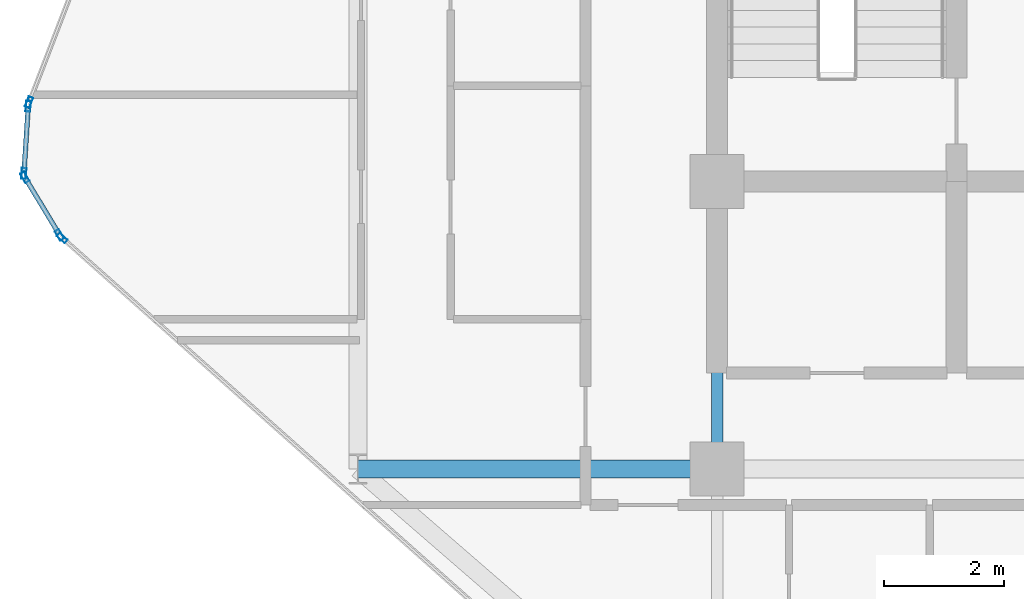
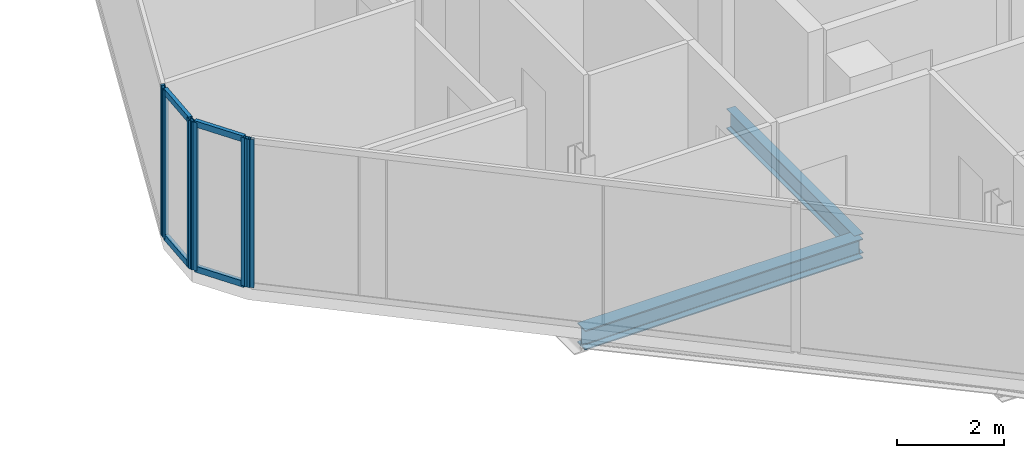
# One storey, part 7 of 31: 10 members, 2 beams, 4 elements without a shape of their own.
"""IFC4 building model written with IfcOpenShell, lengths in metres."""

from ifc_helpers import new_model, si_unit, direction, frame, origin, origin_2d, place, context, subcontext, project, spatial, hollow_rectangle, i_section, extrude, material, layer, layer_set, material_profile, profile_set, type_object, element, aggregate, save


model = new_model("IFC4")

# Units and contexts
model_context = context("Model", 3, precision=1e-05, world=origin(), true_north=direction((0.0, 1.0)))
body_context = subcontext(model_context, "Body", "Model", "MODEL_VIEW")
ifc_project = project(units=[si_unit("LENGTHUNIT", "METRE"), si_unit("AREAUNIT", "SQUARE_METRE"), si_unit("VOLUMEUNIT", "CUBIC_METRE"), si_unit("PLANEANGLEUNIT", "RADIAN"), si_unit("MASSUNIT", "GRAM", prefix="KILO")], contexts=[model_context])

# Site, building, storey
site_placement = place(None, origin())
site = spatial("IfcSite", under=ifc_project, at=site_placement, CompositionType="ELEMENT")
building_placement = place(site_placement, origin())
building = spatial("IfcBuilding", under=site, at=building_placement, Name="Keshet Zoharim Tower", CompositionType="ELEMENT")
storey_placement = place(building_placement, frame((0.0, 0.0, 144.60009765625)))
storey = spatial("IfcBuildingStorey", under=building, at=storey_placement, Name="L35", CompositionType="ELEMENT", Elevation=144.60009765625)

# Beams
ifc_material_1 = material(Name="Steel S355", Category="steel")
ifc_material_profile_1 = material_profile(ifc_material_1, i_section(OverallWidth=0.18994140625, OverallDepth=0.449951171875, WebThickness=0.009521484375, FlangeThickness=0.0146484375, FilletRadius=0.02099609375, at=origin_2d()), Name="IPE450")
ifc_profile_set_1 = profile_set([ifc_material_profile_1], Name="Steel S355")
beam_type_1 = type_object("IfcBeamType", Name="BM-PRI-IP450", PredefinedType="BEAM", material=ifc_profile_set_1)
beam_1_placement = place(storey_placement, frame((15.0, 17.89990234375, -0.5400390625), z_axis=(0.0, 1.0, 0.0), x_axis=(-1.0, 0.0, 0.0)))
element("IfcBeam", 1, at=beam_1_placement, inside=storey, type_object=beam_type_1, Name="L35 Primary Girder Y-003", PredefinedType="BEAM", context=body_context, shape_type="SweptSolid", body=[
    extrude(i_section(OverallWidth=0.18994140625, OverallDepth=0.449951171875, WebThickness=0.009521484375, FlangeThickness=0.0146484375, FilletRadius=0.02099609375, at=origin_2d()), origin(), (0.0, 0.0, 1.0), 4.800048828125),
])
ifc_material_profile_2 = material_profile(ifc_material_1, i_section(OverallWidth=0.300048828125, OverallDepth=0.449951171875, WebThickness=0.013916015625, FlangeThickness=0.02587890625, FilletRadius=0.027099609375, at=origin_2d()), Name="HEB450")
ifc_profile_set_2 = profile_set([ifc_material_profile_2], Name="Steel S355")
beam_type_2 = type_object("IfcBeamType", Name="BM-WEB-HB450", PredefinedType="BEAM", material=ifc_profile_set_2)
beam_2_placement = place(storey_placement, frame((9.0, 17.89990234375, -0.5400390625), z_axis=(1.0, 0.0, 0.0), x_axis=(0.0, 1.0, 0.0)))
element("IfcBeam", 2, at=beam_2_placement, inside=storey, type_object=beam_type_2, Name="L35 Primary Girder X-011", PredefinedType="BEAM", context=body_context, shape_type="SweptSolid", body=[
    extrude(i_section(OverallWidth=0.300048828125, OverallDepth=0.449951171875, WebThickness=0.013916015625, FlangeThickness=0.02587890625, FilletRadius=0.027099609375, at=origin_2d()), origin(), (0.0, 0.0, 1.0), 6.0),
])

# Curtain wall, member
ifc_material_2 = material(Name="Aluminium 6063-T6", Category="aluminium")
ifc_layer = layer(ifc_material_2, 0.159912109375)
ifc_layer_set = layer_set([ifc_layer], Name="Aluminium 6063-T6")
curtain_wall_type = type_object("IfcCurtainWallType", Name="CW-SYS-03", PredefinedType="NOTDEFINED", material=ifc_layer_set)
curtain_wall_1_placement = place(storey_placement, origin())
curtain_wall_1 = element("IfcCurtainWall", 3, at=curtain_wall_1_placement, inside=storey, type_object=curtain_wall_type, Name="L35 Unitised Curtain Wall 07 Part 2", PredefinedType="NOTDEFINED")
ifc_material_profile_3 = material_profile(ifc_material_2, hollow_rectangle(XDim=0.080078125, YDim=0.179931640625, WallThickness=0.00439453125, at=origin_2d()), Name="MUL-80x180")
ifc_profile_set_3 = profile_set([ifc_material_profile_3], Name="Aluminium 6063-T6")
member_type_1 = type_object("IfcMemberType", Name="CWM-M18", PredefinedType="MULLION", material=ifc_profile_set_3)
member_1_placement = place(storey_placement, frame((4.061279296875, 21.7568359375, 0.0), z_axis=(0.0, 0.0, 1.0), x_axis=(-0.664363542589, -0.747409582009, 0.0)))
member_1 = element("IfcMember", 4, at=member_1_placement, type_object=member_type_1, Name="CW-03 mullion 3", PredefinedType="MULLION", context=body_context, shape_type="SweptSolid", body=[
    extrude(hollow_rectangle(XDim=0.080078125, YDim=0.179931640625, WallThickness=0.00439453125, at=origin_2d()), origin(), (0.0, 0.0, 1.0), 3.385009765625),
])
aggregate(curtain_wall_1, [member_1])

# Curtain wall, members
curtain_wall_2_placement = place(storey_placement, origin())
curtain_wall_2 = element("IfcCurtainWall", 5, at=curtain_wall_2_placement, inside=storey, type_object=curtain_wall_type, Name="L35 Unitised Curtain Wall 08", PredefinedType="NOTDEFINED")
member_2_placement = place(storey_placement, frame((4.016845703125, 21.81005859375, 0.0), z_axis=(0.0, 0.0, 1.0), x_axis=(-0.856826433805, -0.515604947933, 0.0)))
member_2 = element("IfcMember", 6, at=member_2_placement, type_object=member_type_1, Name="CW-03 mullion 1", PredefinedType="MULLION", context=body_context, shape_type="SweptSolid", body=[
    extrude(hollow_rectangle(XDim=0.080078125, YDim=0.179931640625, WallThickness=0.00439453125, at=origin_2d()), origin(), (0.0, 0.0, 1.0), 3.385009765625),
])
member_3_placement = place(storey_placement, frame((3.43798828125, 22.77197265625, 0.0), z_axis=(0.0, 0.0, 1.0), x_axis=(-0.856826433805, -0.515604947933, 0.0)))
member_3 = element("IfcMember", 7, at=member_3_placement, type_object=member_type_1, Name="CW-03 mullion 2", PredefinedType="MULLION", context=body_context, shape_type="SweptSolid", body=[
    extrude(hollow_rectangle(XDim=0.080078125, YDim=0.179931640625, WallThickness=0.00439453125, at=origin_2d()), origin(), (0.0, 0.0, 1.0), 3.385009765625),
])

curtain_wall_3_placement = place(storey_placement, origin())
curtain_wall_3 = element("IfcCurtainWall", 8, at=curtain_wall_3_placement, inside=storey, type_object=curtain_wall_type, Name="L35 Unitised Curtain Wall 09", PredefinedType="NOTDEFINED")
member_4_placement = place(storey_placement, frame((3.42236328125, 22.8369140625, 0.0), z_axis=(0.0, 0.0, 1.0), x_axis=(-0.997916617186, 0.064516859374, 0.0)))
member_4 = element("IfcMember", 9, at=member_4_placement, type_object=member_type_1, Name="CW-03 mullion 1", PredefinedType="MULLION", context=body_context, shape_type="SweptSolid", body=[
    extrude(hollow_rectangle(XDim=0.080078125, YDim=0.179931640625, WallThickness=0.00439453125, at=origin_2d()), origin(), (0.0, 0.0, 1.0), 3.385009765625),
])
member_5_placement = place(storey_placement, frame((3.49462890625, 23.9580078125, 0.0), z_axis=(0.0, 0.0, 1.0), x_axis=(-0.997916617186, 0.064516859374, 0.0)))
member_5 = element("IfcMember", 10, at=member_5_placement, type_object=member_type_1, Name="CW-03 mullion 2", PredefinedType="MULLION", context=body_context, shape_type="SweptSolid", body=[
    extrude(hollow_rectangle(XDim=0.080078125, YDim=0.179931640625, WallThickness=0.00439453125, at=origin_2d()), origin(), (0.0, 0.0, 1.0), 3.385009765625),
])

# Curtain wall, member
curtain_wall_4_placement = place(storey_placement, origin())
curtain_wall_4 = element("IfcCurtainWall", 11, at=curtain_wall_4_placement, inside=storey, type_object=curtain_wall_type, Name="L35 Unitised Curtain Wall 10", PredefinedType="NOTDEFINED")
member_6_placement = place(storey_placement, frame((3.509521484375, 24.025634765625, 0.0), z_axis=(0.0, 0.0, 1.0), x_axis=(-0.933341404361, 0.358990003907, 0.0)))
member_6 = element("IfcMember", 12, at=member_6_placement, type_object=member_type_1, Name="CW-03 mullion 1", PredefinedType="MULLION", context=body_context, shape_type="SweptSolid", body=[
    extrude(hollow_rectangle(XDim=0.080078125, YDim=0.179931640625, WallThickness=0.00439453125, at=origin_2d()), origin(), (0.0, 0.0, 1.0), 3.385009765625),
])
aggregate(curtain_wall_4, [member_6])

# Member
ifc_material_profile_4 = material_profile(ifc_material_2, hollow_rectangle(XDim=0.080078125, YDim=0.139892578125, WallThickness=0.00390625, at=origin_2d()), Name="TRN-80x140")
ifc_profile_set_4 = profile_set([ifc_material_profile_4], Name="Aluminium 6063-T6")
member_type_2 = type_object("IfcMemberType", Name="CWT-T14", PredefinedType="USERDEFINED", material=ifc_profile_set_4)
member_7_placement = place(storey_placement, frame((3.9990234375, 21.840087890625, 0.034912109375), z_axis=(-0.515791194107, 0.856714330499, 0.0), x_axis=(-0.856714330499, -0.515791194107, 0.0)))
member_7 = element("IfcMember", 13, at=member_7_placement, type_object=member_type_2, Name="CW-03 transom 1.1", ObjectType="TRANSOM", PredefinedType="USERDEFINED", context=body_context, shape_type="SweptSolid", body=[
    extrude(hollow_rectangle(XDim=0.080078125, YDim=0.139892578125, WallThickness=0.00390625, at=origin_2d()), origin(), (0.0, 0.0, 1.0), 1.052734375),
])

member_8_placement = place(storey_placement, frame((3.9990234375, 21.840087890625, 3.349853515625), z_axis=(-0.515791194107, 0.856714330499, 0.0), x_axis=(-0.856714330499, -0.515791194107, 0.0)))
member_8 = element("IfcMember", 14, at=member_8_placement, type_object=member_type_2, Name="CW-03 transom 1.2", ObjectType="TRANSOM", PredefinedType="USERDEFINED", context=body_context, shape_type="SweptSolid", body=[
    extrude(hollow_rectangle(XDim=0.080078125, YDim=0.139892578125, WallThickness=0.00390625, at=origin_2d()), origin(), (0.0, 0.0, 1.0), 1.052734375),
])

aggregate(curtain_wall_2, [member_2, member_3, member_7, member_8])

member_9_placement = place(storey_placement, frame((3.424560546875, 22.871826171875, 0.034912109375), z_axis=(0.064426947155, 0.997922426083, 0.0), x_axis=(-0.997922426083, 0.064426947155, 0.0)))
member_9 = element("IfcMember", 15, at=member_9_placement, type_object=member_type_2, Name="CW-03 transom 1.1", ObjectType="TRANSOM", PredefinedType="USERDEFINED", context=body_context, shape_type="SweptSolid", body=[
    extrude(hollow_rectangle(XDim=0.080078125, YDim=0.139892578125, WallThickness=0.00390625, at=origin_2d()), origin(), (0.0, 0.0, 1.0), 1.053466796875),
])

member_10_placement = place(storey_placement, frame((3.424560546875, 22.871826171875, 3.349853515625), z_axis=(0.064426947155, 0.997922426083, 0.0), x_axis=(-0.997922426083, 0.064426947155, 0.0)))
member_10 = element("IfcMember", 16, at=member_10_placement, type_object=member_type_2, Name="CW-03 transom 1.2", ObjectType="TRANSOM", PredefinedType="USERDEFINED", context=body_context, shape_type="SweptSolid", body=[
    extrude(hollow_rectangle(XDim=0.080078125, YDim=0.139892578125, WallThickness=0.00390625, at=origin_2d()), origin(), (0.0, 0.0, 1.0), 1.053466796875),
])

aggregate(curtain_wall_3, [member_4, member_5, member_9, member_10])

save(model, "model.ifc")
